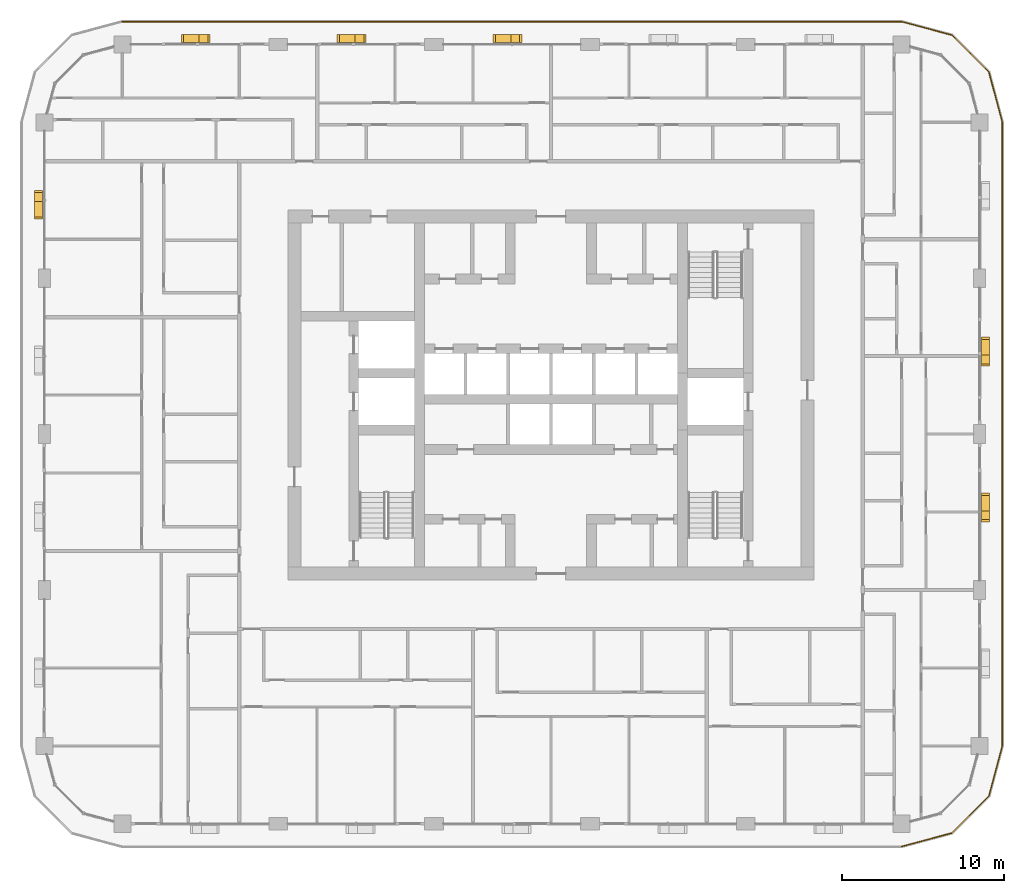
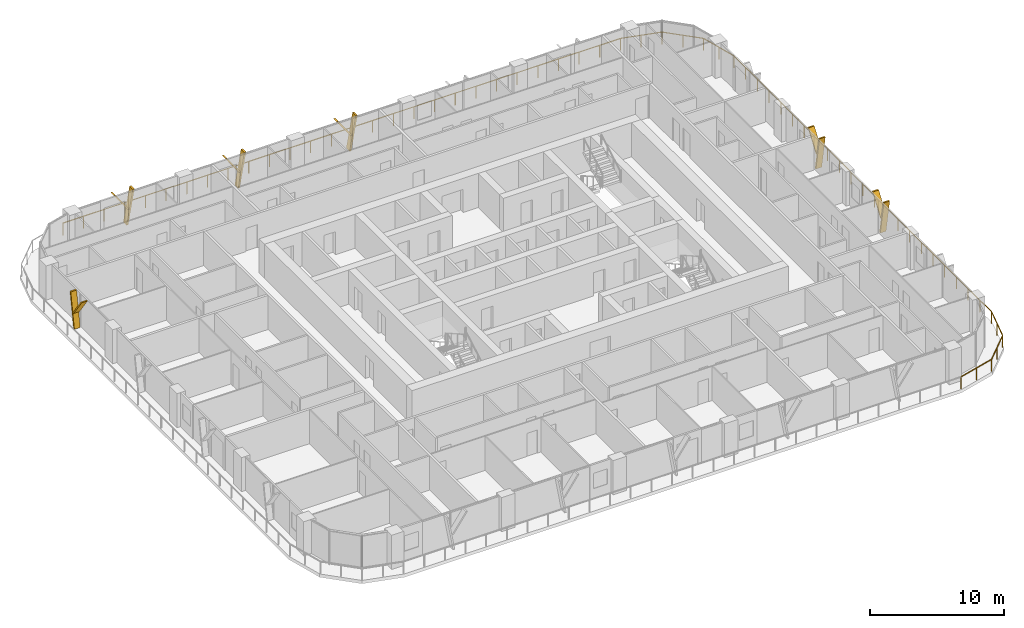
# One storey, part 21 of 22: 12 shading devices, 1 railing.
"""IFC4 building model written with IfcOpenShell, lengths in metres."""

from ifc_helpers import new_model, si_unit, direction, frame, origin, origin_2d, place, context, subcontext, project, spatial, polyline, circle, outline, extrude, material, type_object, element, save


model = new_model("IFC4")

# Units and contexts
model_context = context("Model", 3, precision=1e-05, world=origin(), true_north=direction((0.0, 1.0)))
body_context = subcontext(model_context, "Body", "Model", "MODEL_VIEW")
ifc_project = project(units=[si_unit("LENGTHUNIT", "METRE"), si_unit("AREAUNIT", "SQUARE_METRE"), si_unit("VOLUMEUNIT", "CUBIC_METRE"), si_unit("PLANEANGLEUNIT", "RADIAN"), si_unit("MASSUNIT", "GRAM", prefix="KILO")], contexts=[model_context])

# Site, building, storey
site_placement = place(None, origin())
site = spatial("IfcSite", under=ifc_project, at=site_placement, CompositionType="ELEMENT")
building_placement = place(site_placement, origin())
building = spatial("IfcBuilding", under=site, at=building_placement, Name="Madar Terraces", CompositionType="ELEMENT")
storey_placement = place(building_placement, frame((0.0, 0.0, 170.0)))
storey = spatial("IfcBuildingStorey", under=building, at=storey_placement, Name="L44", CompositionType="ELEMENT", Elevation=170.0)

# Railing
ifc_material_1 = material(Name="Glass, safety glazing, with stainless steel posts", Category="steel")
railing_type = type_object("IfcRailingType", Name="Balcony glass guard 1100", PredefinedType="GUARDRAIL", material=ifc_material_1)
railing_placement = place(storey_placement, frame((52.800048828125, -1.39990234375, 0.0)))
element("IfcRailing", 1, at=railing_placement, inside=storey, type_object=railing_type, Name="Balcony guard", PredefinedType="GUARDRAIL", context=body_context, shape_type="SweptSolid", body=[
    extrude(circle(Radius=0.02392578125, at=origin_2d()), frame((0.0, 0.0, 1.076171875), z_axis=(0.965928696102, 0.258808334578, 0.0), x_axis=(-0.258808334578, 0.965928696102, 0.0)), (0.0, 0.0, 1.0), 3.209228515625),
    extrude(circle(Radius=0.02392578125, at=origin_2d()), frame((3.099853515625, 0.83056640625, 1.076171875), z_axis=(0.707144815061, 0.707068745266, 0.0), x_axis=(-0.707068745266, 0.707144815061, 0.0)), (0.0, 0.0, 1.0), 3.20947265625),
    extrude(circle(Radius=0.02392578125, at=origin_2d()), frame((5.369384765625, 3.099853515625, 1.076171875), z_axis=(0.258789317819, 0.9659337912, 0.0), x_axis=(-0.9659337912, 0.258789317819, 0.0)), (0.0, 0.0, 1.0), 3.20947265625),
    extrude(circle(Radius=0.02392578125, at=origin_2d()), frame((6.199951171875, 6.199951171875, 1.076171875), z_axis=(0.0, 1.0, 0.0), x_axis=(-1.0, 0.0, 0.0)), (0.0, 0.0, 1.0), 38.39990234375),
    extrude(circle(Radius=0.02392578125, at=origin_2d()), frame((6.199951171875, 44.599853515625, 1.076171875), z_axis=(-0.258789317819, 0.9659337912, 0.0), x_axis=(-0.9659337912, -0.258789317819, 0.0)), (0.0, 0.0, 1.0), 3.20947265625),
    extrude(circle(Radius=0.02392578125, at=origin_2d()), frame((5.369384765625, 47.699951171875, 1.076171875), z_axis=(-0.707144815061, 0.707068745266, 0.0), x_axis=(-0.707068745266, -0.707144815061, 0.0)), (0.0, 0.0, 1.0), 3.20947265625),
    extrude(circle(Radius=0.02392578125, at=origin_2d()), frame((3.099853515625, 49.96923828125, 1.076171875), z_axis=(-0.965928696102, 0.258808334578, 0.0), x_axis=(-0.258808334578, -0.965928696102, 0.0)), (0.0, 0.0, 1.0), 3.209228515625),
    extrude(circle(Radius=0.02392578125, at=origin_2d()), frame((0.0, 50.7998046875, 1.076171875), z_axis=(-1.0, 0.0, 0.0), x_axis=(0.0, -1.0, 0.0)), (0.0, 0.0, 1.0), 48.0),
    extrude(circle(Radius=0.02099609375, at=origin_2d()), origin(), (0.0, 0.0, 1.0), 1.052001953125),
    extrude(circle(Radius=0.02099609375, at=origin_2d()), frame((1.5498046875, 0.415283203125, 0.0)), (0.0, 0.0, 1.0), 1.052001953125),
    extrude(circle(Radius=0.02099609375, at=origin_2d()), frame((3.099853515625, 0.83056640625, 0.0)), (0.0, 0.0, 1.0), 1.052001953125),
    extrude(circle(Radius=0.02099609375, at=origin_2d()), frame((4.234619140625, 1.96533203125, 0.0)), (0.0, 0.0, 1.0), 1.052001953125),
    extrude(circle(Radius=0.02099609375, at=origin_2d()), frame((5.369384765625, 3.099853515625, 0.0)), (0.0, 0.0, 1.0), 1.052001953125),
    extrude(circle(Radius=0.02099609375, at=origin_2d()), frame((5.78466796875, 4.64990234375, 0.0)), (0.0, 0.0, 1.0), 1.052001953125),
    extrude(circle(Radius=0.02099609375, at=origin_2d()), frame((6.199951171875, 6.199951171875, 0.0)), (0.0, 0.0, 1.0), 1.052001953125),
    extrude(circle(Radius=0.02099609375, at=origin_2d()), frame((6.199951171875, 7.9453125, 0.0)), (0.0, 0.0, 1.0), 1.052001953125),
    extrude(circle(Radius=0.02099609375, at=origin_2d()), frame((6.199951171875, 9.69091796875, 0.0)), (0.0, 0.0, 1.0), 1.052001953125),
    extrude(circle(Radius=0.02099609375, at=origin_2d()), frame((6.199951171875, 11.436279296875, 0.0)), (0.0, 0.0, 1.0), 1.052001953125),
    extrude(circle(Radius=0.02099609375, at=origin_2d()), frame((6.199951171875, 13.181640625, 0.0)), (0.0, 0.0, 1.0), 1.052001953125),
    extrude(circle(Radius=0.02099609375, at=origin_2d()), frame((6.199951171875, 14.92724609375, 0.0)), (0.0, 0.0, 1.0), 1.052001953125),
    extrude(circle(Radius=0.02099609375, at=origin_2d()), frame((6.199951171875, 16.672607421875, 0.0)), (0.0, 0.0, 1.0), 1.052001953125),
    extrude(circle(Radius=0.02099609375, at=origin_2d()), frame((6.199951171875, 18.418212890625, 0.0)), (0.0, 0.0, 1.0), 1.052001953125),
    extrude(circle(Radius=0.02099609375, at=origin_2d()), frame((6.199951171875, 20.16357421875, 0.0)), (0.0, 0.0, 1.0), 1.052001953125),
    extrude(circle(Radius=0.02099609375, at=origin_2d()), frame((6.199951171875, 21.908935546875, 0.0)), (0.0, 0.0, 1.0), 1.052001953125),
    extrude(circle(Radius=0.02099609375, at=origin_2d()), frame((6.199951171875, 23.654541015625, 0.0)), (0.0, 0.0, 1.0), 1.052001953125),
    extrude(circle(Radius=0.02099609375, at=origin_2d()), frame((6.199951171875, 25.39990234375, 0.0)), (0.0, 0.0, 1.0), 1.052001953125),
    extrude(circle(Radius=0.02099609375, at=origin_2d()), frame((6.199951171875, 27.145263671875, 0.0)), (0.0, 0.0, 1.0), 1.052001953125),
    extrude(circle(Radius=0.02099609375, at=origin_2d()), frame((6.199951171875, 28.890869140625, 0.0)), (0.0, 0.0, 1.0), 1.052001953125),
    extrude(circle(Radius=0.02099609375, at=origin_2d()), frame((6.199951171875, 30.63623046875, 0.0)), (0.0, 0.0, 1.0), 1.052001953125),
    extrude(circle(Radius=0.02099609375, at=origin_2d()), frame((6.199951171875, 32.381591796875, 0.0)), (0.0, 0.0, 1.0), 1.052001953125),
    extrude(circle(Radius=0.02099609375, at=origin_2d()), frame((6.199951171875, 34.127197265625, 0.0)), (0.0, 0.0, 1.0), 1.052001953125),
    extrude(circle(Radius=0.02099609375, at=origin_2d()), frame((6.199951171875, 35.87255859375, 0.0)), (0.0, 0.0, 1.0), 1.052001953125),
    extrude(circle(Radius=0.02099609375, at=origin_2d()), frame((6.199951171875, 37.6181640625, 0.0)), (0.0, 0.0, 1.0), 1.052001953125),
    extrude(circle(Radius=0.02099609375, at=origin_2d()), frame((6.199951171875, 39.363525390625, 0.0)), (0.0, 0.0, 1.0), 1.052001953125),
    extrude(circle(Radius=0.02099609375, at=origin_2d()), frame((6.199951171875, 41.10888671875, 0.0)), (0.0, 0.0, 1.0), 1.052001953125),
    extrude(circle(Radius=0.02099609375, at=origin_2d()), frame((6.199951171875, 42.8544921875, 0.0)), (0.0, 0.0, 1.0), 1.052001953125),
    extrude(circle(Radius=0.02099609375, at=origin_2d()), frame((6.199951171875, 44.599853515625, 0.0)), (0.0, 0.0, 1.0), 1.052001953125),
    extrude(circle(Radius=0.02099609375, at=origin_2d()), frame((5.78466796875, 46.14990234375, 0.0)), (0.0, 0.0, 1.0), 1.052001953125),
    extrude(circle(Radius=0.02099609375, at=origin_2d()), frame((5.369384765625, 47.699951171875, 0.0)), (0.0, 0.0, 1.0), 1.052001953125),
    extrude(circle(Radius=0.02099609375, at=origin_2d()), frame((4.234619140625, 48.83447265625, 0.0)), (0.0, 0.0, 1.0), 1.052001953125),
    extrude(circle(Radius=0.02099609375, at=origin_2d()), frame((3.099853515625, 49.96923828125, 0.0)), (0.0, 0.0, 1.0), 1.052001953125),
    extrude(circle(Radius=0.02099609375, at=origin_2d()), frame((1.5498046875, 50.384521484375, 0.0)), (0.0, 0.0, 1.0), 1.052001953125),
    extrude(circle(Radius=0.02099609375, at=origin_2d()), frame((0.0, 50.7998046875, 0.0)), (0.0, 0.0, 1.0), 1.052001953125),
    extrude(circle(Radius=0.02099609375, at=origin_2d()), frame((-1.77783203125, 50.7998046875, 0.0)), (0.0, 0.0, 1.0), 1.052001953125),
    extrude(circle(Radius=0.02099609375, at=origin_2d()), frame((-3.5556640625, 50.7998046875, 0.0)), (0.0, 0.0, 1.0), 1.052001953125),
    extrude(circle(Radius=0.02099609375, at=origin_2d()), frame((-5.333251953125, 50.7998046875, 0.0)), (0.0, 0.0, 1.0), 1.052001953125),
    extrude(circle(Radius=0.02099609375, at=origin_2d()), frame((-7.111083984375, 50.7998046875, 0.0)), (0.0, 0.0, 1.0), 1.052001953125),
    extrude(circle(Radius=0.02099609375, at=origin_2d()), frame((-8.888916015625, 50.7998046875, 0.0)), (0.0, 0.0, 1.0), 1.052001953125),
    extrude(circle(Radius=0.02099609375, at=origin_2d()), frame((-10.666748046875, 50.7998046875, 0.0)), (0.0, 0.0, 1.0), 1.052001953125),
    extrude(circle(Radius=0.02099609375, at=origin_2d()), frame((-12.4443359375, 50.7998046875, 0.0)), (0.0, 0.0, 1.0), 1.052001953125),
    extrude(circle(Radius=0.02099609375, at=origin_2d()), frame((-14.22216796875, 50.7998046875, 0.0)), (0.0, 0.0, 1.0), 1.052001953125),
    extrude(circle(Radius=0.02099609375, at=origin_2d()), frame((-16.0, 50.7998046875, 0.0)), (0.0, 0.0, 1.0), 1.052001953125),
    extrude(circle(Radius=0.02099609375, at=origin_2d()), frame((-17.77783203125, 50.7998046875, 0.0)), (0.0, 0.0, 1.0), 1.052001953125),
    extrude(circle(Radius=0.02099609375, at=origin_2d()), frame((-19.5556640625, 50.7998046875, 0.0)), (0.0, 0.0, 1.0), 1.052001953125),
    extrude(circle(Radius=0.02099609375, at=origin_2d()), frame((-21.333251953125, 50.7998046875, 0.0)), (0.0, 0.0, 1.0), 1.052001953125),
    extrude(circle(Radius=0.02099609375, at=origin_2d()), frame((-23.111083984375, 50.7998046875, 0.0)), (0.0, 0.0, 1.0), 1.052001953125),
    extrude(circle(Radius=0.02099609375, at=origin_2d()), frame((-24.888916015625, 50.7998046875, 0.0)), (0.0, 0.0, 1.0), 1.052001953125),
    extrude(circle(Radius=0.02099609375, at=origin_2d()), frame((-26.666748046875, 50.7998046875, 0.0)), (0.0, 0.0, 1.0), 1.052001953125),
    extrude(circle(Radius=0.02099609375, at=origin_2d()), frame((-28.4443359375, 50.7998046875, 0.0)), (0.0, 0.0, 1.0), 1.052001953125),
    extrude(circle(Radius=0.02099609375, at=origin_2d()), frame((-30.22216796875, 50.7998046875, 0.0)), (0.0, 0.0, 1.0), 1.052001953125),
    extrude(circle(Radius=0.02099609375, at=origin_2d()), frame((-32.0, 50.7998046875, 0.0)), (0.0, 0.0, 1.0), 1.052001953125),
    extrude(circle(Radius=0.02099609375, at=origin_2d()), frame((-33.77783203125, 50.7998046875, 0.0)), (0.0, 0.0, 1.0), 1.052001953125),
    extrude(circle(Radius=0.02099609375, at=origin_2d()), frame((-35.5556640625, 50.7998046875, 0.0)), (0.0, 0.0, 1.0), 1.052001953125),
    extrude(circle(Radius=0.02099609375, at=origin_2d()), frame((-37.333251953125, 50.7998046875, 0.0)), (0.0, 0.0, 1.0), 1.052001953125),
    extrude(circle(Radius=0.02099609375, at=origin_2d()), frame((-39.111083984375, 50.7998046875, 0.0)), (0.0, 0.0, 1.0), 1.052001953125),
    extrude(circle(Radius=0.02099609375, at=origin_2d()), frame((-40.888916015625, 50.7998046875, 0.0)), (0.0, 0.0, 1.0), 1.052001953125),
    extrude(circle(Radius=0.02099609375, at=origin_2d()), frame((-42.666748046875, 50.7998046875, 0.0)), (0.0, 0.0, 1.0), 1.052001953125),
    extrude(circle(Radius=0.02099609375, at=origin_2d()), frame((-44.4443359375, 50.7998046875, 0.0)), (0.0, 0.0, 1.0), 1.052001953125),
    extrude(circle(Radius=0.02099609375, at=origin_2d()), frame((-46.22216796875, 50.7998046875, 0.0)), (0.0, 0.0, 1.0), 1.052001953125),
    extrude(circle(Radius=0.02099609375, at=origin_2d()), frame((-48.0, 50.7998046875, 0.0)), (0.0, 0.0, 1.0), 1.052001953125),
])

# Shading devices
ifc_material_2 = material(Name="Aluminium, black anodised", Category="aluminium")
shading_device_type = type_object("IfcShadingDeviceType", Name="Facade fin blade 140 x 500", PredefinedType="USERDEFINED", material=ifc_material_2)
shading_device_1_placement = place(storey_placement, frame((57.949951171875, 19.1298828125, 0.0), z_axis=(0.0, 0.0, 1.0), x_axis=(0.0, 1.0, 0.0)))
element("IfcShadingDevice", 2, at=shading_device_1_placement, inside=storey, type_object=shading_device_type, Name="FIN L44 E2", ObjectType="FIN", PredefinedType="USERDEFINED", context=body_context, shape_type="SweptSolid", body=[
    extrude(outline(polyline([(0.0, 0.0), (0.14013671875, 0.0), (-0.403076171875, 3.080078125), (-0.54296875, 3.080078125), (0.0, 0.0)])), frame((0.0, 0.25, 0.0), z_axis=(0.0, -1.0, 0.0), x_axis=(1.0, 0.0, 0.0)), (0.0, 0.0, 1.0), 0.5),
])
shading_device_2_placement = place(storey_placement, frame((57.949951171875, 19.025634765625, 1.385986328125), z_axis=(0.0, 0.0, 1.0), x_axis=(0.0, 1.0, 0.0)))
element("IfcShadingDevice", 3, at=shading_device_2_placement, inside=storey, type_object=shading_device_type, Name="FIN L44 E2 branch", ObjectType="FIN", PredefinedType="USERDEFINED", context=body_context, shape_type="SweptSolid", body=[
    extrude(outline(polyline([(0.0, 0.0), (0.139892578125, 0.0), (1.34130859375, 1.694091796875), (1.201416015625, 1.694091796875), (0.0, 0.0)])), frame((0.0, 0.25, 0.0), z_axis=(0.0, -1.0, 0.0), x_axis=(1.0, 0.0, 0.0)), (0.0, 0.0, 1.0), 0.5),
])
shading_device_3_placement = place(storey_placement, frame((57.949951171875, 28.72998046875, 0.0), z_axis=(0.0, 0.0, 1.0), x_axis=(0.0, 1.0, 0.0)))
element("IfcShadingDevice", 4, at=shading_device_3_placement, inside=storey, type_object=shading_device_type, Name="FIN L44 E3", ObjectType="FIN", PredefinedType="USERDEFINED", context=body_context, shape_type="SweptSolid", body=[
    extrude(outline(polyline([(0.0, 0.0), (0.14013671875, 0.0), (-0.403076171875, 3.080078125), (-0.54296875, 3.080078125), (0.0, 0.0)])), frame((0.0, 0.25, 0.0), z_axis=(0.0, -1.0, 0.0), x_axis=(1.0, 0.0, 0.0)), (0.0, 0.0, 1.0), 0.5),
])
shading_device_4_placement = place(storey_placement, frame((57.949951171875, 28.625732421875, 1.385986328125), z_axis=(0.0, 0.0, 1.0), x_axis=(0.0, 1.0, 0.0)))
element("IfcShadingDevice", 5, at=shading_device_4_placement, inside=storey, type_object=shading_device_type, Name="FIN L44 E3 branch", ObjectType="FIN", PredefinedType="USERDEFINED", context=body_context, shape_type="SweptSolid", body=[
    extrude(outline(polyline([(0.0, 0.0), (0.139892578125, 0.0), (1.34130859375, 1.694091796875), (1.201416015625, 1.694091796875), (0.0, 0.0)])), frame((0.0, 0.25, 0.0), z_axis=(0.0, -1.0, 0.0), x_axis=(1.0, 0.0, 0.0)), (0.0, 0.0, 1.0), 0.5),
])
shading_device_5_placement = place(storey_placement, frame((28.8701171875, 48.35009765625, 0.0), z_axis=(0.0, 0.0, 1.0), x_axis=(-1.0, 0.0, 0.0)))
element("IfcShadingDevice", 6, at=shading_device_5_placement, inside=storey, type_object=shading_device_type, Name="FIN L44 N3", ObjectType="FIN", PredefinedType="USERDEFINED", context=body_context, shape_type="SweptSolid", body=[
    extrude(outline(polyline([(0.0, 0.0), (0.14013671875, 0.0), (-0.403076171875, 3.080078125), (-0.54296875, 3.080078125), (0.0, 0.0)])), frame((0.0, 0.25, 0.0), z_axis=(0.0, -1.0, 0.0), x_axis=(1.0, 0.0, 0.0)), (0.0, 0.0, 1.0), 0.5),
])
shading_device_6_placement = place(storey_placement, frame((28.974365234375, 48.35009765625, 1.385986328125), z_axis=(0.0, 0.0, 1.0), x_axis=(-1.0, 0.0, 0.0)))
element("IfcShadingDevice", 7, at=shading_device_6_placement, inside=storey, type_object=shading_device_type, Name="FIN L44 N3 branch", ObjectType="FIN", PredefinedType="USERDEFINED", context=body_context, shape_type="SweptSolid", body=[
    extrude(outline(polyline([(0.0, 0.0), (0.139892578125, 0.0), (1.34130859375, 1.694091796875), (1.201416015625, 1.694091796875), (0.0, 0.0)])), frame((0.0, 0.25, 0.0), z_axis=(0.0, -1.0, 0.0), x_axis=(1.0, 0.0, 0.0)), (0.0, 0.0, 1.0), 0.5),
])
shading_device_7_placement = place(storey_placement, frame((19.27001953125, 48.35009765625, 0.0), z_axis=(0.0, 0.0, 1.0), x_axis=(-1.0, 0.0, 0.0)))
element("IfcShadingDevice", 8, at=shading_device_7_placement, inside=storey, type_object=shading_device_type, Name="FIN L44 N4", ObjectType="FIN", PredefinedType="USERDEFINED", context=body_context, shape_type="SweptSolid", body=[
    extrude(outline(polyline([(0.0, 0.0), (0.14013671875, 0.0), (-0.403076171875, 3.080078125), (-0.54296875, 3.080078125), (0.0, 0.0)])), frame((0.0, 0.25, 0.0), z_axis=(0.0, -1.0, 0.0), x_axis=(1.0, 0.0, 0.0)), (0.0, 0.0, 1.0), 0.5),
])
shading_device_8_placement = place(storey_placement, frame((19.374267578125, 48.35009765625, 1.385986328125), z_axis=(0.0, 0.0, 1.0), x_axis=(-1.0, 0.0, 0.0)))
element("IfcShadingDevice", 9, at=shading_device_8_placement, inside=storey, type_object=shading_device_type, Name="FIN L44 N4 branch", ObjectType="FIN", PredefinedType="USERDEFINED", context=body_context, shape_type="SweptSolid", body=[
    extrude(outline(polyline([(0.0, 0.0), (0.139892578125, 0.0), (1.34130859375, 1.694091796875), (1.201416015625, 1.694091796875), (0.0, 0.0)])), frame((0.0, 0.25, 0.0), z_axis=(0.0, -1.0, 0.0), x_axis=(1.0, 0.0, 0.0)), (0.0, 0.0, 1.0), 0.5),
])
shading_device_9_placement = place(storey_placement, frame((9.669921875, 48.35009765625, 0.0), z_axis=(0.0, 0.0, 1.0), x_axis=(-1.0, 0.0, 0.0)))
element("IfcShadingDevice", 10, at=shading_device_9_placement, inside=storey, type_object=shading_device_type, Name="FIN L44 N5", ObjectType="FIN", PredefinedType="USERDEFINED", context=body_context, shape_type="SweptSolid", body=[
    extrude(outline(polyline([(0.0, 0.0), (0.139892578125, 0.0), (-0.403076171875, 3.080078125), (-0.54296875, 3.080078125), (0.0, 0.0)])), frame((0.0, 0.25, 0.0), z_axis=(0.0, -1.0, 0.0), x_axis=(1.0, 0.0, 0.0)), (0.0, 0.0, 1.0), 0.5),
])
shading_device_10_placement = place(storey_placement, frame((9.7744140625, 48.35009765625, 1.385986328125), z_axis=(0.0, 0.0, 1.0), x_axis=(-1.0, 0.0, 0.0)))
element("IfcShadingDevice", 11, at=shading_device_10_placement, inside=storey, type_object=shading_device_type, Name="FIN L44 N5 branch", ObjectType="FIN", PredefinedType="USERDEFINED", context=body_context, shape_type="SweptSolid", body=[
    extrude(outline(polyline([(0.0, 0.0), (0.14013671875, 0.0), (1.34130859375, 1.694091796875), (1.201416015625, 1.694091796875), (0.0, 0.0)])), frame((0.0, 0.25, 0.0), z_axis=(0.0, -1.0, 0.0), x_axis=(1.0, 0.0, 0.0)), (0.0, 0.0, 1.0), 0.5),
])
shading_device_11_placement = place(storey_placement, frame((-0.35009765625, 38.469970703125, 0.0), z_axis=(0.0, 0.0, 1.0), x_axis=(0.0, -1.0, 0.0)))
element("IfcShadingDevice", 12, at=shading_device_11_placement, inside=storey, type_object=shading_device_type, Name="FIN L44 W1", ObjectType="FIN", PredefinedType="USERDEFINED", context=body_context, shape_type="SweptSolid", body=[
    extrude(outline(polyline([(0.0, 0.0), (0.139892578125, 0.0), (-0.403076171875, 3.080078125), (-0.54296875, 3.080078125), (0.0, 0.0)])), frame((0.0, 0.25, 0.0), z_axis=(0.0, -1.0, 0.0), x_axis=(1.0, 0.0, 0.0)), (0.0, 0.0, 1.0), 0.5),
])
shading_device_12_placement = place(storey_placement, frame((-0.35009765625, 38.574462890625, 1.385986328125), z_axis=(0.0, 0.0, 1.0), x_axis=(0.0, -1.0, 0.0)))
element("IfcShadingDevice", 13, at=shading_device_12_placement, inside=storey, type_object=shading_device_type, Name="FIN L44 W1 branch", ObjectType="FIN", PredefinedType="USERDEFINED", context=body_context, shape_type="SweptSolid", body=[
    extrude(outline(polyline([(0.0, 0.0), (0.14013671875, 0.0), (1.34130859375, 1.694091796875), (1.201416015625, 1.694091796875), (0.0, 0.0)])), frame((0.0, 0.25, 0.0), z_axis=(0.0, -1.0, 0.0), x_axis=(1.0, 0.0, 0.0)), (0.0, 0.0, 1.0), 0.5),
])

save(model, "model.ifc")
